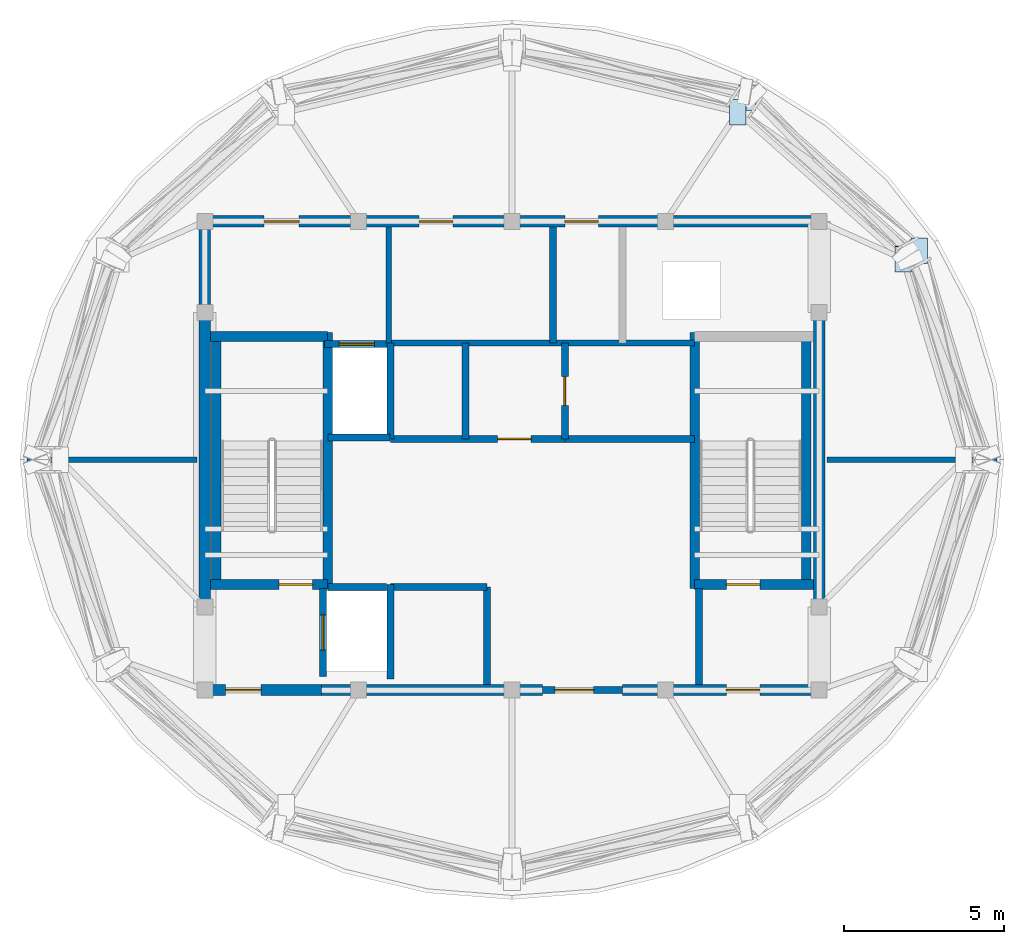
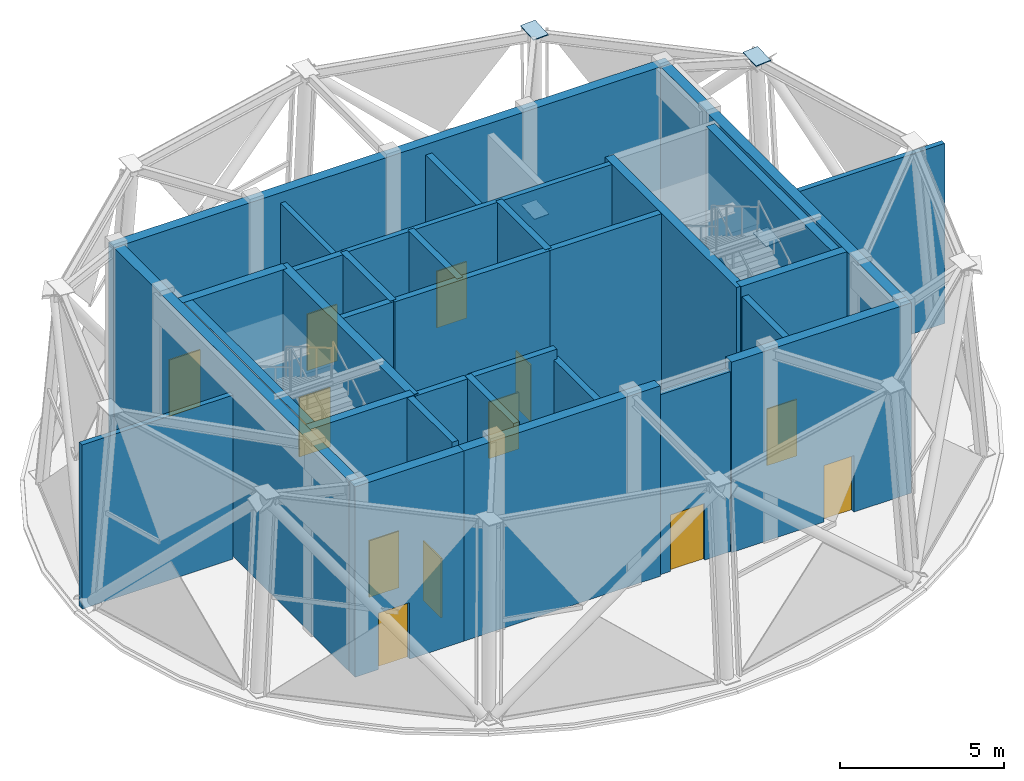
# One storey, part 5 of 8: 32 walls, 12 doors, 4 plates, 12 openings.
"""IFC4 building model written with IfcOpenShell, lengths in metres."""

from ifc_helpers import new_model, si_unit, direction, frame, frame_2d, origin, place, context, subcontext, project, spatial, polyline, rectangle, outline, extrude, material, layer, layer_set, type_object, element, fill, save


model = new_model("IFC4")

# Units and contexts
model_context = context("Model", 3, precision=1e-05, world=origin(), true_north=direction((0.0, 1.0)))
body_context = subcontext(model_context, "Body", "Model", "MODEL_VIEW")
ifc_project = project(units=[si_unit("LENGTHUNIT", "METRE"), si_unit("AREAUNIT", "SQUARE_METRE"), si_unit("VOLUMEUNIT", "CUBIC_METRE"), si_unit("PLANEANGLEUNIT", "RADIAN"), si_unit("MASSUNIT", "GRAM", prefix="KILO")], contexts=[model_context])

# Site, building, storey
site_placement = place(None, origin())
site = spatial("IfcSite", under=ifc_project, at=site_placement, CompositionType="ELEMENT")
building_placement = place(site_placement, origin())
building = spatial("IfcBuilding", under=site, at=building_placement, Name="Vantalir Tower", CompositionType="ELEMENT")
storey_placement = place(building_placement, frame((0.0, 0.0, 333.5)))
storey = spatial("IfcBuildingStorey", under=building, at=storey_placement, Name="L80", CompositionType="ELEMENT", Elevation=333.5)

# Plates
ifc_material_1 = material(Name="Steel S460", Category="steel")
ifc_layer_1 = layer(ifc_material_1, 0.031982421875)
ifc_layer_set_1 = layer_set([ifc_layer_1], Name="Steel S460")
plate_type = type_object("IfcPlateType", Name="PLT-KN-Z3", PredefinedType="USERDEFINED", material=ifc_layer_set_1)
plate_1_placement = place(storey_placement, frame((43.4619140625, 31.67041015625, 7.090087890625), z_axis=(-0.071626877496, -0.036984146802, 0.996745586048), x_axis=(1.049142e-05, -0.999312351022, -0.037078632443)))
element("IfcPlate", 1, at=plate_1_placement, inside=storey, type_object=plate_type, Name="L80 Ring Column Top Cap RC02", ObjectType="FLANGE_PLATE", PredefinedType="USERDEFINED", context=body_context, shape_type="SweptSolid", body=[
    extrude(outline(polyline([(0.0, 0.0), (0.7998620976008839, 0.0), (0.7999554121129334, 0.5201263818633813), (-0.00015971063039810587, 0.5201432111216763), (0.0, 0.0)])), origin(), (0.0, 0.0, -1.0), 0.031982421875),
])
plate_2_placement = place(storey_placement, frame((43.9677734375, 31.931396484375, 0.049072265625), z_axis=(-0.071626877496, -0.036984146802, 0.996745586048), x_axis=(-1.129986e-05, -0.99931229299, -0.037080196227)))
element("IfcPlate", 2, at=plate_2_placement, inside=storey, type_object=plate_type, Name="L80 Ring Column Base Cap RC02", ObjectType="FLANGE_PLATE", PredefinedType="USERDEFINED", context=body_context, shape_type="SweptSolid", body=[
    extrude(outline(polyline([(0.0, 0.0), (0.7998711501922752, 4.336808689942018e-19), (0.799944048515855, 0.5201438586805849), (-0.00016202162191883982, 0.5201257326056257), (0.0, 0.0)])), origin(), (0.0, 0.0, -1.0), 0.031982421875),
])
plate_3_placement = place(storey_placement, frame((38.296142578125, 36.26123046875, 7.108642578125), z_axis=(-0.041617393945, -0.063880802909, 0.997089381922), x_axis=(6.332074e-06, -0.997954005189, -0.063935932675)))
element("IfcPlate", 3, at=plate_3_placement, inside=storey, type_object=plate_type, Name="L80 Ring Column Top Cap RC03", ObjectType="FLANGE_PLATE", PredefinedType="USERDEFINED", context=body_context, shape_type="SweptSolid", body=[
    extrude(outline(polyline([(0.0, 0.0), (0.799968800512035, 0.0), (0.7998166722415209, 0.5199766824139979), (-0.00016773762907724694, 0.5199868222209975), (0.0, 0.0)])), origin(), (0.0, 0.0, -1.0), 0.031982421875),
])
plate_4_placement = place(storey_placement, frame((38.589111328125, 36.71240234375, 0.067626953125), z_axis=(-0.041383562744, -0.063729583274, 0.99710879093), x_axis=(0.0, -0.997963713083, -0.063784225087)))
element("IfcPlate", 4, at=plate_4_placement, inside=storey, type_object=plate_type, Name="L80 Ring Column Base Cap RC03", ObjectType="FLANGE_PLATE", PredefinedType="USERDEFINED", context=body_context, shape_type="SweptSolid", body=[
    extrude(outline(polyline([(0.0, 0.0), (0.7999688097714862, 0.0), (0.7998166629838307, 0.5199766966539727), (-0.00015214678765552796, 0.5199766966539727), (0.0, 0.0)])), origin(), (0.0, 0.0, -1.0), 0.031982421875),
])

# Wall, opening, door
ifc_material_2 = material(Name="Concrete C50/60", Category="concrete")
ifc_layer_2 = layer(ifc_material_2, 0.35009765625)
ifc_layer_set_2 = layer_set([ifc_layer_2], Name="Concrete C50/60")
wall_type_1 = type_object("IfcWallType", Name="WL-CORE-350", PredefinedType="SHEAR", material=ifc_layer_set_2)
wall_1_placement = place(storey_placement, frame((21.72509765625, 17.800048828125, 0.0), z_axis=(0.0, 0.0, 1.0), x_axis=(1.0, 0.0, 0.0)))
wall_1 = element("IfcWall", 5, at=wall_1_placement, inside=storey, type_object=wall_type_1, Name="L80 Core Shear Wall South-West", PredefinedType="SHEAR", context=body_context, shape_type="SweptSolid", body=[
    extrude(rectangle(XDim=3.824951171875, YDim=0.35009765625, at=frame_2d((1.91259765625, 0.0))), origin(), (0.0, 0.0, 1.0), 7.070068359375),
])
opening_1_placement = place(wall_1_placement, frame((0.824951171875, 0.0, 0.0)))
opening_1 = element("IfcOpeningElement", 6, at=opening_1_placement, cuts=wall_1, Name="Opening D-FFL", PredefinedType="OPENING", context=body_context, shape_type="SweptSolid", body=[
    extrude(rectangle(XDim=1.10009765625, YDim=2.10009765625, at=frame_2d((0.550048828125, 1.050048828125))), frame((0.0, 0.18505859375, 0.0), z_axis=(0.0, -1.0, 0.0), x_axis=(1.0, 0.0, 0.0)), (0.0, 0.0, 1.0), 0.3701171875),
])
ifc_material_3 = material(Name="Fire-rated acoustic steel door", Category="steel")
door_type_1 = type_object("IfcDoorType", Name="DR-FIRE-LOBBY-1100", OperationType="NOTDEFINED", PredefinedType="DOOR", material=ifc_material_3)
door_1_placement = place(opening_1_placement, origin())
door_1 = element("IfcDoor", 7, at=door_1_placement, inside=storey, type_object=door_type_1, Name="L80 Firefighting Lobby West Access Door", OperationType="SINGLE_SWING_LEFT", OverallHeight=2.10009765625, OverallWidth=1.10009765625, PredefinedType="DOOR", context=body_context, shape_type="SweptSolid", body=[
    extrude(rectangle(XDim=1.10009765625, YDim=2.10009765625, at=frame_2d((0.550048828125, 1.050048828125))), frame((0.0, 0.02490234375, 0.0), z_axis=(0.0, -1.0, 0.0), x_axis=(1.0, 0.0, 0.0)), (0.0, 0.0, 1.0), 0.050048828125),
])
fill(opening_1, door_1)

# Wall
wall_2_placement = place(storey_placement, frame((25.550048828125, 17.800048828125, 0.0), z_axis=(0.0, 0.0, 1.0), x_axis=(1.0, 0.0, 0.0)))
element("IfcWall", 8, at=wall_2_placement, inside=storey, type_object=wall_type_1, Name="L80 Core Shear Wall South-Mid", PredefinedType="SHEAR", context=body_context, shape_type="SweptSolid", body=[
    extrude(rectangle(XDim=6.89990234375, YDim=0.35009765625, at=frame_2d((3.449951171875, 0.0))), origin(), (0.0, 0.0, 1.0), 7.070068359375),
])

# Wall, opening, door
wall_3_placement = place(storey_placement, frame((34.949951171875, 17.800048828125, 0.0), z_axis=(0.0, 0.0, 1.0), x_axis=(1.0, 0.0, 0.0)))
wall_3 = element("IfcWall", 9, at=wall_3_placement, inside=storey, type_object=wall_type_1, Name="L80 Core Shear Wall South-East", PredefinedType="SHEAR", context=body_context, shape_type="SweptSolid", body=[
    extrude(rectangle(XDim=6.324951171875, YDim=0.35009765625, at=frame_2d((3.16259765625, 0.0))), origin(), (0.0, 0.0, 1.0), 7.070068359375),
])
opening_2_placement = place(wall_3_placement, frame((3.25, 0.0, 0.0)))
opening_2 = element("IfcOpeningElement", 10, at=opening_2_placement, cuts=wall_3, Name="Opening D-ST", PredefinedType="OPENING", context=body_context, shape_type="SweptSolid", body=[
    extrude(rectangle(XDim=1.050048828125, YDim=2.10009765625, at=frame_2d((0.52490234375, 1.050048828125))), frame((0.0, 0.18505859375, 0.0), z_axis=(0.0, -1.0, 0.0), x_axis=(1.0, 0.0, 0.0)), (0.0, 0.0, 1.0), 0.3701171875),
])
ifc_material_4 = material(Name="Fire-rated steel door leaf", Category="steel")
door_type_2 = type_object("IfcDoorType", Name="DR-FIRE-STAIR-1050", OperationType="NOTDEFINED", PredefinedType="DOOR", material=ifc_material_4)
door_2_placement = place(opening_2_placement, origin())
door_2 = element("IfcDoor", 11, at=door_2_placement, inside=storey, type_object=door_type_2, Name="L80 Stair ST2 Exit Lobby Door", OperationType="SINGLE_SWING_LEFT", OverallHeight=2.10009765625, OverallWidth=1.050048828125, PredefinedType="DOOR", context=body_context, shape_type="SweptSolid", body=[
    extrude(rectangle(XDim=1.050048828125, YDim=2.10009765625, at=frame_2d((0.52490234375, 1.050048828125))), frame((0.0, 0.02490234375, 0.0), z_axis=(0.0, -1.0, 0.0), x_axis=(1.0, 0.0, 0.0)), (0.0, 0.0, 1.0), 0.050048828125),
])
fill(opening_2, door_2)

# Wall, openings, doors
wall_4_placement = place(storey_placement, frame((21.72509765625, 32.449951171875, 0.0), z_axis=(0.0, 0.0, 1.0), x_axis=(1.0, 0.0, 0.0)))
wall_4 = element("IfcWall", 12, at=wall_4_placement, inside=storey, type_object=wall_type_1, Name="L80 Core Shear Wall North", PredefinedType="SHEAR", context=body_context, shape_type="SweptSolid", body=[
    extrude(rectangle(XDim=19.5498046875, YDim=0.35009765625, at=frame_2d((9.77490234375, 0.0))), origin(), (0.0, 0.0, 1.0), 7.070068359375),
])
opening_3_placement = place(wall_4_placement, frame((2.02490234375, 0.0, 0.0)))
opening_3 = element("IfcOpeningElement", 13, at=opening_3_placement, cuts=wall_4, Name="Opening D-FFL", PredefinedType="OPENING", context=body_context, shape_type="SweptSolid", body=[
    extrude(rectangle(XDim=1.10009765625, YDim=2.10009765625, at=frame_2d((0.550048828125, 1.050048828125))), frame((0.0, 0.18505859375, 0.0), z_axis=(0.0, -1.0, 0.0), x_axis=(1.0, 0.0, 0.0)), (0.0, 0.0, 1.0), 0.3701171875),
])
opening_4_placement = place(wall_4_placement, frame((11.425048828125, 0.0, 0.0)))
opening_4 = element("IfcOpeningElement", 14, at=opening_4_placement, cuts=wall_4, Name="Opening D-ST", PredefinedType="OPENING", context=body_context, shape_type="SweptSolid", body=[
    extrude(rectangle(XDim=1.050048828125, YDim=2.10009765625, at=frame_2d((0.52490234375, 1.050048828125))), frame((0.0, 0.18505859375, 0.0), z_axis=(0.0, -1.0, 0.0), x_axis=(1.0, 0.0, 0.0)), (0.0, 0.0, 1.0), 0.3701171875),
])
opening_5_placement = place(wall_4_placement, frame((6.875, 0.0, 0.0)))
opening_5 = element("IfcOpeningElement", 15, at=opening_5_placement, cuts=wall_4, Name="Opening D-ST", PredefinedType="OPENING", context=body_context, shape_type="SweptSolid", body=[
    extrude(rectangle(XDim=1.050048828125, YDim=2.10009765625, at=frame_2d((0.52490234375, 1.050048828125))), frame((0.0, 0.18505859375, 0.0), z_axis=(0.0, -1.0, 0.0), x_axis=(1.0, 0.0, 0.0)), (0.0, 0.0, 1.0), 0.3701171875),
])
door_3_placement = place(opening_3_placement, frame((1.10009765625, 0.0, 0.0), z_axis=(0.0, 0.0, 1.0), x_axis=(-1.0, 0.0, 0.0)))
door_3 = element("IfcDoor", 16, at=door_3_placement, inside=storey, type_object=door_type_1, Name="L80 Firefighting Lobby East Access Door", OperationType="SINGLE_SWING_RIGHT", OverallHeight=2.10009765625, OverallWidth=1.10009765625, PredefinedType="DOOR", context=body_context, shape_type="SweptSolid", body=[
    extrude(rectangle(XDim=1.10009765625, YDim=2.10009765625, at=frame_2d((0.550048828125, 1.050048828125))), frame((0.0, 0.02490234375, 0.0), z_axis=(0.0, -1.0, 0.0), x_axis=(1.0, 0.0, 0.0)), (0.0, 0.0, 1.0), 0.050048828125),
])
fill(opening_3, door_3)
door_4_placement = place(opening_4_placement, frame((1.050048828125, 0.0, 0.0), z_axis=(0.0, 0.0, 1.0), x_axis=(-1.0, 0.0, 0.0)))
door_4 = element("IfcDoor", 17, at=door_4_placement, inside=storey, type_object=door_type_2, Name="L80 North Crown Passage Link Door", OperationType="SINGLE_SWING_RIGHT", OverallHeight=2.10009765625, OverallWidth=1.050048828125, PredefinedType="DOOR", context=body_context, shape_type="SweptSolid", body=[
    extrude(rectangle(XDim=1.050048828125, YDim=2.10009765625, at=frame_2d((0.52490234375, 1.050048828125))), frame((0.0, 0.02490234375, 0.0), z_axis=(0.0, -1.0, 0.0), x_axis=(1.0, 0.0, 0.0)), (0.0, 0.0, 1.0), 0.050048828125),
])
fill(opening_4, door_4)
door_5_placement = place(opening_5_placement, frame((1.050048828125, 0.0, 0.0), z_axis=(0.0, 0.0, 1.0), x_axis=(-1.0, 0.0, 0.0)))
door_5 = element("IfcDoor", 18, at=door_5_placement, inside=storey, type_object=door_type_2, Name="L80 Crown Telemetry Plant Door", OperationType="SINGLE_SWING_LEFT", OverallHeight=2.10009765625, OverallWidth=1.050048828125, PredefinedType="DOOR", context=body_context, shape_type="SweptSolid", body=[
    extrude(rectangle(XDim=1.050048828125, YDim=2.10009765625, at=frame_2d((0.52490234375, 1.050048828125))), frame((0.0, 0.02490234375, 0.0), z_axis=(0.0, -1.0, 0.0), x_axis=(1.0, 0.0, 0.0)), (0.0, 0.0, 1.0), 0.050048828125),
])
fill(opening_5, door_5)

# Walls
for number, where, z_axis, x_axis, name in (
    (19, (21.89990234375, 17.97509765625, 0.0), (0.0, 0.0, 1.0), (0.0, 1.0, 0.0), "L80 Core Shear Wall West"),
    (20, (41.10009765625, 17.97509765625, 0.0), (0.0, 0.0, 1.0), (0.0, 1.0, 0.0), "L80 Core Shear Wall East"),
):
    element("IfcWall", number, at=place(storey_placement, frame(where, z_axis=z_axis, x_axis=x_axis)), inside=storey, type_object=wall_type_1, Name=name, PredefinedType="SHEAR", context=body_context, shape_type="SweptSolid", body=[
        extrude(rectangle(XDim=14.2998046875, YDim=0.35009765625, at=frame_2d((7.14990234375, 0.0))), origin(), (0.0, 0.0, 1.0), 7.070068359375),
    ])
ifc_material_5 = material(Name="Concrete blockwork with fireboard lining", Category="masonry")
ifc_layer_3 = layer(ifc_material_5, 0.219970703125)
ifc_layer_set_3 = layer_set([ifc_layer_3], Name="Concrete blockwork with fireboard lining")
wall_type_2 = type_object("IfcWallType", Name="WL-FFL-220", PredefinedType="PARTITIONING", material=ifc_layer_set_3)
wall_5_placement = place(storey_placement, frame((25.75, 21.02001953125, 0.0), z_axis=(0.0, 0.0, 1.0), x_axis=(1.0, 0.0, 0.0)))
element("IfcWall", 21, at=wall_5_placement, inside=storey, type_object=wall_type_2, Name="L80 Fire Lift FL1 Crown North Shaft Wall", PredefinedType="PARTITIONING", context=body_context, shape_type="SweptSolid", body=[
    extrude(rectangle(XDim=1.830078125, YDim=0.219970703125, at=frame_2d((0.9150390625, 0.0))), origin(), (0.0, 0.0, 1.0), 7.044921875),
])
wall_6_placement = place(storey_placement, frame((25.75, 25.68994140625, 0.0), z_axis=(0.0, 0.0, 1.0), x_axis=(1.0, 0.0, 0.0)))
element("IfcWall", 22, at=wall_6_placement, inside=storey, type_object=wall_type_2, Name="L80 Fire Lift FL2 Crown South Shaft Wall", PredefinedType="PARTITIONING", context=body_context, shape_type="SweptSolid", body=[
    extrude(rectangle(XDim=1.929931640625, YDim=0.219970703125, at=frame_2d((0.96484375, 0.0))), origin(), (0.0, 0.0, 1.0), 7.044921875),
])

# Wall, opening, door
wall_7_placement = place(storey_placement, frame((32.449951171875, 17.800048828125, 0.0), z_axis=(0.0, 0.0, 1.0), x_axis=(1.0, 0.0, 0.0)))
wall_7 = element("IfcWall", 23, at=wall_7_placement, inside=storey, type_object=wall_type_2, Name="L80 Passenger Lift Lobby South Wall", PredefinedType="PARTITIONING", context=body_context, shape_type="SweptSolid", body=[
    extrude(rectangle(XDim=2.5, YDim=0.219970703125, at=frame_2d((1.25, 0.0))), origin(), (0.0, 0.0, 1.0), 6.68701171875),
])
opening_6_placement = place(wall_7_placement, frame((0.39990234375, 0.0, 0.0)))
opening_6 = element("IfcOpeningElement", 24, at=opening_6_placement, cuts=wall_7, Name="Opening D-STE", PredefinedType="OPENING", context=body_context, shape_type="SweptSolid", body=[
    extrude(rectangle(XDim=1.199951171875, YDim=2.10009765625, at=frame_2d((0.60009765625, 1.050048828125))), frame((0.0, 0.119873046875, 0.0), z_axis=(0.0, -1.0, 0.0), x_axis=(1.0, 0.0, 0.0)), (0.0, 0.0, 1.0), 0.239990234375),
])
ifc_material_6 = material(Name="Solid-core teak veneer suite entrance door", Category="wood")
door_type_3 = type_object("IfcDoorType", Name="DR-SUITE-ENTRY-1200", OperationType="NOTDEFINED", PredefinedType="DOOR", material=ifc_material_6)
door_6_placement = place(opening_6_placement, origin())
door_6 = element("IfcDoor", 25, at=door_6_placement, inside=storey, type_object=door_type_3, Name="L80 Passenger Lift Lobby Concourse Door", OperationType="SINGLE_SWING_LEFT", OverallHeight=2.10009765625, OverallWidth=1.199951171875, PredefinedType="DOOR", context=body_context, shape_type="SweptSolid", body=[
    extrude(rectangle(XDim=1.199951171875, YDim=2.10009765625, at=frame_2d((0.60009765625, 1.050048828125))), frame((0.0, 0.02490234375, 0.0), z_axis=(0.0, -1.0, 0.0), x_axis=(1.0, 0.0, 0.0)), (0.0, 0.0, 1.0), 0.050048828125),
])
fill(opening_6, door_6)

# Wall
wall_8_placement = place(storey_placement, frame((37.35009765625, 17.97509765625, 0.0), z_axis=(0.0, 0.0, 1.0), x_axis=(0.0, 1.0, 0.0)))
element("IfcWall", 26, at=wall_8_placement, inside=storey, type_object=wall_type_2, Name="L80 ST2 Exit Lobby West Wall", PredefinedType="PARTITIONING", context=body_context, shape_type="SweptSolid", body=[
    extrude(rectangle(XDim=3.0048828125, YDim=0.219970703125, at=frame_2d((1.50244140625, 0.0))), origin(), (0.0, 0.0, 1.0), 6.68701171875),
])

# Wall, opening, door
wall_9_placement = place(storey_placement, frame((25.590087890625, 18.219970703125, 0.0), z_axis=(0.0, 0.0, 1.0), x_axis=(0.0, 1.0, 0.0)))
wall_9 = element("IfcWall", 27, at=wall_9_placement, inside=storey, type_object=wall_type_2, Name="L80 Lift FL1 Shaft Front Wall", PredefinedType="PARTITIONING", context=body_context, shape_type="SweptSolid", body=[
    extrude(rectangle(XDim=2.760009765625, YDim=0.219970703125, at=frame_2d((1.3798828125, 0.0))), origin(), (0.0, 0.0, 1.0), 7.050048828125),
])
opening_7_placement = place(wall_9_placement, frame((0.830078125, 0.0, 0.0)))
opening_7 = element("IfcOpeningElement", 28, at=opening_7_placement, cuts=wall_9, Name="Opening LD-FL1", PredefinedType="OPENING", context=body_context, shape_type="SweptSolid", body=[
    extrude(rectangle(XDim=1.10009765625, YDim=2.199951171875, at=frame_2d((0.550048828125, 1.10009765625))), frame((0.0, 0.119873046875, 0.0), z_axis=(0.0, -1.0, 0.0), x_axis=(1.0, 0.0, 0.0)), (0.0, 0.0, 1.0), 0.239990234375),
])
ifc_material_7 = material(Name="Brushed stainless-steel sliding lift landing door", Category="steel")
door_type_4 = type_object("IfcDoorType", Name="DR-LIFT-LANDING-1100", OperationType="DOUBLE_DOOR_SLIDING", PredefinedType="DOOR", material=ifc_material_7)
door_7_placement = place(opening_7_placement, origin())
door_7 = element("IfcDoor", 29, at=door_7_placement, inside=storey, type_object=door_type_4, Name="L80 Lift Landing Door FL1", OperationType="DOUBLE_DOOR_SLIDING", OverallHeight=2.199951171875, OverallWidth=1.10009765625, PredefinedType="DOOR", context=body_context, shape_type="SweptSolid", body=[
    extrude(rectangle(XDim=1.10009765625, YDim=2.199951171875, at=frame_2d((0.550048828125, 1.10009765625))), frame((0.0, 0.02490234375, 0.0), z_axis=(0.0, -1.0, 0.0), x_axis=(1.0, 0.0, 0.0)), (0.0, 0.0, 1.0), 0.050048828125),
])
fill(opening_7, door_7)

wall_10_placement = place(storey_placement, frame((25.639892578125, 28.610107421875, 0.0), z_axis=(0.0, 0.0, 1.0), x_axis=(1.0, 0.0, 0.0)))
wall_10 = element("IfcWall", 30, at=wall_10_placement, inside=storey, type_object=wall_type_2, Name="L80 Lift FL2 Shaft Front Wall", PredefinedType="PARTITIONING", context=body_context, shape_type="SweptSolid", body=[
    extrude(rectangle(XDim=2.02001953125, YDim=0.219970703125, at=frame_2d((1.010009765625, 0.0))), origin(), (0.0, 0.0, 1.0), 7.050048828125),
])
opening_8_placement = place(wall_10_placement, frame((0.4599609375, 0.0, 0.0)))
opening_8 = element("IfcOpeningElement", 31, at=opening_8_placement, cuts=wall_10, Name="Opening LD-FL2", PredefinedType="OPENING", context=body_context, shape_type="SweptSolid", body=[
    extrude(rectangle(XDim=1.10009765625, YDim=2.199951171875, at=frame_2d((0.550048828125, 1.10009765625))), frame((0.0, 0.119873046875, 0.0), z_axis=(0.0, -1.0, 0.0), x_axis=(1.0, 0.0, 0.0)), (0.0, 0.0, 1.0), 0.239990234375),
])
door_8_placement = place(opening_8_placement, origin())
door_8 = element("IfcDoor", 32, at=door_8_placement, inside=storey, type_object=door_type_4, Name="L80 Lift Landing Door FL2", OperationType="DOUBLE_DOOR_SLIDING", OverallHeight=2.199951171875, OverallWidth=1.10009765625, PredefinedType="DOOR", context=body_context, shape_type="SweptSolid", body=[
    extrude(rectangle(XDim=1.10009765625, YDim=2.199951171875, at=frame_2d((0.550048828125, 1.10009765625))), frame((0.0, 0.02490234375, 0.0), z_axis=(0.0, -1.0, 0.0), x_axis=(1.0, 0.0, 0.0)), (0.0, 0.0, 1.0), 0.050048828125),
])
fill(opening_8, door_8)

# Walls
wall_11_placement = place(storey_placement, frame((27.699951171875, 18.14990234375, 0.0), z_axis=(0.0, 0.0, 1.0), x_axis=(0.0, 1.0, 0.0)))
element("IfcWall", 33, at=wall_11_placement, inside=storey, type_object=wall_type_2, Name="L80 Fire Lift FL1 Dividing Wall", PredefinedType="PARTITIONING", context=body_context, shape_type="SweptSolid", body=[
    extrude(rectangle(XDim=2.9501953125, YDim=0.219970703125, at=frame_2d((1.47509765625, 0.0))), origin(), (0.0, 0.0, 1.0), 7.050048828125),
])
wall_12_placement = place(storey_placement, frame((27.699951171875, 25.64990234375, 0.0), z_axis=(0.0, 0.0, 1.0), x_axis=(0.0, 1.0, 0.0)))
element("IfcWall", 34, at=wall_12_placement, inside=storey, type_object=wall_type_2, Name="L80 Fire Lift FL2 Dividing Wall", PredefinedType="PARTITIONING", context=body_context, shape_type="SweptSolid", body=[
    extrude(rectangle(XDim=3.0, YDim=0.219970703125, at=frame_2d((1.5, 0.0))), origin(), (0.0, 0.0, 1.0), 7.050048828125),
])
wall_13_placement = place(storey_placement, frame((27.699951171875, 21.02001953125, 0.0), z_axis=(0.0, 0.0, 1.0), x_axis=(1.0, 0.0, 0.0)))
element("IfcWall", 35, at=wall_13_placement, inside=storey, type_object=wall_type_2, Name="L80 Firefighting Lobby West East-Wing North Wall", PredefinedType="PARTITIONING", context=body_context, shape_type="SweptSolid", body=[
    extrude(rectangle(XDim=3.02001953125, YDim=0.219970703125, at=frame_2d((1.510009765625, 0.0))), origin(), (0.0, 0.0, 1.0), 7.050048828125),
])
wall_14_placement = place(storey_placement, frame((30.719970703125, 17.97509765625, 0.0), z_axis=(0.0, 0.0, 1.0), x_axis=(0.0, 1.0, 0.0)))
element("IfcWall", 36, at=wall_14_placement, inside=storey, type_object=wall_type_2, Name="L80 Firefighting Lobby West East Wall", PredefinedType="PARTITIONING", context=body_context, shape_type="SweptSolid", body=[
    extrude(rectangle(XDim=3.044921875, YDim=0.219970703125, at=frame_2d((1.5224609375, 0.0))), origin(), (0.0, 0.0, 1.0), 6.68701171875),
])
wall_15_placement = place(storey_placement, frame((32.780029296875, 28.64990234375, 0.0), z_axis=(0.0, 0.0, 1.0), x_axis=(0.0, 1.0, 0.0)))
element("IfcWall", 37, at=wall_15_placement, inside=storey, type_object=wall_type_2, Name="L80 Core Plant Link West Wall", PredefinedType="PARTITIONING", context=body_context, shape_type="SweptSolid", body=[
    extrude(rectangle(XDim=3.625, YDim=0.219970703125, at=frame_2d((1.8125, 0.0))), origin(), (0.0, 0.0, 1.0), 6.68701171875),
])
wall_16_placement = place(storey_placement, frame((30.050048828125, 25.64990234375, 0.0), z_axis=(0.0, 0.0, 1.0), x_axis=(0.0, 1.0, 0.0)))
element("IfcWall", 38, at=wall_16_placement, inside=storey, type_object=wall_type_2, Name="L80 Core Plant Lower West Wall", PredefinedType="PARTITIONING", context=body_context, shape_type="SweptSolid", body=[
    extrude(rectangle(XDim=3.0, YDim=0.219970703125, at=frame_2d((1.5, 0.0))), origin(), (0.0, 0.0, 1.0), 7.050048828125),
])

# Wall, opening, door
wall_17_placement = place(storey_placement, frame((27.699951171875, 25.64990234375, 0.0), z_axis=(0.0, 0.0, 1.0), x_axis=(1.0, 0.0, 0.0)))
wall_17 = element("IfcWall", 39, at=wall_17_placement, inside=storey, type_object=wall_type_2, Name="L80 Core Plant South Lobby Wall", PredefinedType="PARTITIONING", context=body_context, shape_type="SweptSolid", body=[
    extrude(rectangle(XDim=5.449951171875, YDim=0.219970703125, at=frame_2d((2.72509765625, 0.0))), origin(), (0.0, 0.0, 1.0), 7.050048828125),
])
opening_9_placement = place(wall_17_placement, frame((3.35009765625, 0.0, 0.0)))
opening_9 = element("IfcOpeningElement", 40, at=opening_9_placement, cuts=wall_17, Name="Opening D-ST", PredefinedType="OPENING", context=body_context, shape_type="SweptSolid", body=[
    extrude(rectangle(XDim=1.050048828125, YDim=2.10009765625, at=frame_2d((0.52490234375, 1.050048828125))), frame((0.0, 0.119873046875, 0.0), z_axis=(0.0, -1.0, 0.0), x_axis=(1.0, 0.0, 0.0)), (0.0, 0.0, 1.0), 0.239990234375),
])
door_9_placement = place(opening_9_placement, frame((1.050048828125, 0.0, 0.0), z_axis=(0.0, 0.0, 1.0), x_axis=(-1.0, 0.0, 0.0)))
door_9 = element("IfcDoor", 41, at=door_9_placement, inside=storey, type_object=door_type_2, Name="L80 Core Plant Passage Lobby Door", OperationType="SINGLE_SWING_LEFT", OverallHeight=2.10009765625, OverallWidth=1.050048828125, PredefinedType="DOOR", context=body_context, shape_type="SweptSolid", body=[
    extrude(rectangle(XDim=1.050048828125, YDim=2.10009765625, at=frame_2d((0.52490234375, 1.050048828125))), frame((0.0, 0.02490234375, 0.0), z_axis=(0.0, -1.0, 0.0), x_axis=(1.0, 0.0, 0.0)), (0.0, 0.0, 1.0), 0.050048828125),
])
fill(opening_9, door_9)

wall_18_placement = place(storey_placement, frame((33.14990234375, 25.64990234375, 0.0), z_axis=(0.0, 0.0, 1.0), x_axis=(0.0, 1.0, 0.0)))
wall_18 = element("IfcWall", 42, at=wall_18_placement, inside=storey, type_object=wall_type_2, Name="L80 Crown Emergency Switchroom West Wall", PredefinedType="PARTITIONING", context=body_context, shape_type="SweptSolid", body=[
    extrude(rectangle(XDim=3.0, YDim=0.219970703125, at=frame_2d((1.5, 0.0))), origin(), (0.0, 0.0, 1.0), 7.050048828125),
])
opening_10_placement = place(wall_18_placement, frame((1.050048828125, 0.0, 0.0)))
opening_10 = element("IfcOpeningElement", 43, at=opening_10_placement, cuts=wall_18, Name="Opening D-CR", PredefinedType="OPENING", context=body_context, shape_type="SweptSolid", body=[
    extrude(rectangle(XDim=0.89990234375, YDim=2.10009765625, at=frame_2d((0.449951171875, 1.050048828125))), frame((0.0, 0.119873046875, 0.0), z_axis=(0.0, -1.0, 0.0), x_axis=(1.0, 0.0, 0.0)), (0.0, 0.0, 1.0), 0.239990234375),
])
ifc_material_8 = material(Name="Fire-rated steel core service door", Category="steel")
door_type_5 = type_object("IfcDoorType", Name="DR-CORE-SERV-900", OperationType="NOTDEFINED", PredefinedType="DOOR", material=ifc_material_8)
door_10_placement = place(opening_10_placement, frame((0.89990234375, 0.0, 0.0), z_axis=(0.0, 0.0, 1.0), x_axis=(-1.0, 0.0, 0.0)))
door_10 = element("IfcDoor", 44, at=door_10_placement, inside=storey, type_object=door_type_5, Name="L80 Crown Emergency Switchroom Door", OperationType="SINGLE_SWING_RIGHT", OverallHeight=2.10009765625, OverallWidth=0.89990234375, PredefinedType="DOOR", context=body_context, shape_type="SweptSolid", body=[
    extrude(rectangle(XDim=0.89990234375, YDim=2.10009765625, at=frame_2d((0.449951171875, 1.050048828125))), frame((0.0, 0.02490234375, 0.0), z_axis=(0.0, -1.0, 0.0), x_axis=(1.0, 0.0, 0.0)), (0.0, 0.0, 1.0), 0.050048828125),
])
fill(opening_10, door_10)

# Walls
wall_19_placement = place(storey_placement, frame((33.14990234375, 25.64990234375, 0.0), z_axis=(0.0, 0.0, 1.0), x_axis=(1.0, 0.0, 0.0)))
element("IfcWall", 45, at=wall_19_placement, inside=storey, type_object=wall_type_2, Name="L80 Crown Emergency Switchroom South Wall", PredefinedType="PARTITIONING", context=body_context, shape_type="SweptSolid", body=[
    extrude(rectangle(XDim=4.06005859375, YDim=0.219970703125, at=frame_2d((2.030029296875, 0.0))), origin(), (0.0, 0.0, 1.0), 7.050048828125),
])
ifc_material_9 = material(Name="Twin-stud acoustic fire-rated gypsum partition", Category="gypsum")
ifc_layer_4 = layer(ifc_material_9, 0.179931640625)
ifc_layer_set_4 = layer_set([ifc_layer_4], Name="Twin-stud acoustic fire-rated gypsum partition")
wall_type_3 = type_object("IfcWallType", Name="WL-GUEST-180", PredefinedType="PARTITIONING", material=ifc_layer_set_4)
wall_20_placement = place(storey_placement, frame((27.64990234375, 28.64990234375, 0.0), z_axis=(0.0, 0.0, 1.0), x_axis=(1.0, 0.0, 0.0)))
element("IfcWall", 46, at=wall_20_placement, inside=storey, type_object=wall_type_3, Name="L80 Crown Core North Plant South Wall", PredefinedType="PARTITIONING", context=body_context, shape_type="SweptSolid", body=[
    extrude(rectangle(XDim=9.56005859375, YDim=0.179931640625, at=frame_2d((4.780029296875, 0.0))), origin(), (0.0, 0.0, 1.0), 7.050048828125),
])
wall_21_placement = place(storey_placement, frame((27.64990234375, 28.64990234375, 0.0), z_axis=(0.0, 0.0, 1.0), x_axis=(0.0, 1.0, 0.0)))
element("IfcWall", 47, at=wall_21_placement, inside=storey, type_object=wall_type_3, Name="L80 Crown Core North Plant West Wall", PredefinedType="PARTITIONING", context=body_context, shape_type="SweptSolid", body=[
    extrude(rectangle(XDim=3.625, YDim=0.179931640625, at=frame_2d((1.8125, 0.0))), origin(), (0.0, 0.0, 1.0), 6.68701171875),
])
wall_22_placement = place(storey_placement, frame((41.35009765625, 25.0, 0.0), z_axis=(0.0, 0.0, 1.0), x_axis=(1.0, 0.0, 0.0)))
element("IfcWall", 48, at=wall_22_placement, inside=storey, type_object=wall_type_3, Name="L80 Radial Suite Partition 01", PredefinedType="PARTITIONING", context=body_context, shape_type="SweptSolid", body=[
    extrude(rectangle(XDim=5.2998046875, YDim=0.179931640625, at=frame_2d((2.64990234375, 0.0))), origin(), (0.0, 0.0, 1.0), 6.68701171875),
])
wall_23_placement = place(storey_placement, frame((21.64990234375, 25.0, 0.0), z_axis=(0.0, 0.0, 1.0), x_axis=(-1.0, 0.0, 0.0)))
element("IfcWall", 49, at=wall_23_placement, inside=storey, type_object=wall_type_3, Name="L80 Radial Suite Partition 02", PredefinedType="PARTITIONING", context=body_context, shape_type="SweptSolid", body=[
    extrude(rectangle(XDim=5.2998046875, YDim=0.179931640625, at=frame_2d((2.64990234375, 0.0))), origin(), (0.0, 0.0, 1.0), 6.094970703125),
])

# Wall, opening, door
ifc_layer_5 = layer(ifc_material_2, 0.300048828125)
ifc_layer_set_5 = layer_set([ifc_layer_5], Name="Concrete C50/60")
wall_type_4 = type_object("IfcWallType", Name="WL-STAIR-300", PredefinedType="SHEAR", material=ifc_layer_set_5)
wall_24_placement = place(storey_placement, frame((22.074951171875, 21.10009765625, 0.0), z_axis=(0.0, 0.0, 1.0), x_axis=(1.0, 0.0, 0.0)))
wall_24 = element("IfcWall", 50, at=wall_24_placement, inside=storey, type_object=wall_type_4, Name="L80 Stair ST1 South Wall", PredefinedType="SHEAR", context=body_context, shape_type="SweptSolid", body=[
    extrude(rectangle(XDim=3.6650390625, YDim=0.300048828125, at=frame_2d((1.83251953125, 0.0))), origin(), (0.0, 0.0, 1.0), 7.070068359375),
])
opening_11_placement = place(wall_24_placement, frame((2.14501953125, 0.0, 0.0)))
opening_11 = element("IfcOpeningElement", 51, at=opening_11_placement, cuts=wall_24, Name="Opening D-ST", PredefinedType="OPENING", context=body_context, shape_type="SweptSolid", body=[
    extrude(rectangle(XDim=1.050048828125, YDim=2.10009765625, at=frame_2d((0.52490234375, 1.050048828125))), frame((0.0, 0.159912109375, 0.0), z_axis=(0.0, -1.0, 0.0), x_axis=(1.0, 0.0, 0.0)), (0.0, 0.0, 1.0), 0.320068359375),
])
door_11_placement = place(opening_11_placement, origin())
door_11 = element("IfcDoor", 52, at=door_11_placement, inside=storey, type_object=door_type_2, Name="L80 Exit Stair ST1 Fire Door", OperationType="SINGLE_SWING_LEFT", OverallHeight=2.10009765625, OverallWidth=1.050048828125, PredefinedType="DOOR", context=body_context, shape_type="SweptSolid", body=[
    extrude(rectangle(XDim=1.050048828125, YDim=2.10009765625, at=frame_2d((0.52490234375, 1.050048828125))), frame((0.0, 0.02490234375, 0.0), z_axis=(0.0, -1.0, 0.0), x_axis=(1.0, 0.0, 0.0)), (0.0, 0.0, 1.0), 0.050048828125),
])
fill(opening_11, door_11)

# Walls
wall_25_placement = place(storey_placement, frame((22.074951171875, 28.85009765625, 0.0), z_axis=(0.0, 0.0, 1.0), x_axis=(1.0, 0.0, 0.0)))
element("IfcWall", 53, at=wall_25_placement, inside=storey, type_object=wall_type_4, Name="L80 Stair ST1 North Wall", PredefinedType="SHEAR", context=body_context, shape_type="SweptSolid", body=[
    extrude(rectangle(XDim=3.6650390625, YDim=0.300048828125, at=frame_2d((1.83251953125, 0.0))), origin(), (0.0, 0.0, 1.0), 7.070068359375),
])
wall_26_placement = place(storey_placement, frame((25.739990234375, 20.97998046875, 0.0), z_axis=(0.0, 0.0, 1.0), x_axis=(0.0, 1.0, 0.0)))
element("IfcWall", 54, at=wall_26_placement, inside=storey, type_object=wall_type_4, Name="L80 Stair ST1 East Wall", PredefinedType="SHEAR", context=body_context, shape_type="SweptSolid", body=[
    extrude(rectangle(XDim=7.989990234375, YDim=0.300048828125, at=frame_2d((3.9951171875, 0.0))), origin(), (0.0, 0.0, 1.0), 7.070068359375),
])
wall_27_placement = place(storey_placement, frame((22.260009765625, 21.10009765625, 0.0), z_axis=(0.0, 0.0, 1.0), x_axis=(0.0, 1.0, 0.0)))
element("IfcWall", 55, at=wall_27_placement, inside=storey, type_object=wall_type_4, Name="L80 Stair ST1 West Liner Wall", PredefinedType="SHEAR", context=body_context, shape_type="SweptSolid", body=[
    extrude(rectangle(XDim=7.75, YDim=0.300048828125, at=frame_2d((3.875, 0.0))), origin(), (0.0, 0.0, 1.0), 7.070068359375),
])

# Wall, opening, door
wall_28_placement = place(storey_placement, frame((37.2099609375, 21.10009765625, 0.0), z_axis=(0.0, 0.0, 1.0), x_axis=(1.0, 0.0, 0.0)))
wall_28 = element("IfcWall", 56, at=wall_28_placement, inside=storey, type_object=wall_type_4, Name="L80 Stair ST2 South Wall", PredefinedType="SHEAR", context=body_context, shape_type="SweptSolid", body=[
    extrude(rectangle(XDim=3.715087890625, YDim=0.300048828125, at=frame_2d((1.857421875, 0.0))), origin(), (0.0, 0.0, 1.0), 7.070068359375),
])
opening_12_placement = place(wall_28_placement, frame((0.989990234375, 0.0, 0.0)))
opening_12 = element("IfcOpeningElement", 57, at=opening_12_placement, cuts=wall_28, Name="Opening D-ST", PredefinedType="OPENING", context=body_context, shape_type="SweptSolid", body=[
    extrude(rectangle(XDim=1.050048828125, YDim=2.10009765625, at=frame_2d((0.52490234375, 1.050048828125))), frame((0.0, 0.159912109375, 0.0), z_axis=(0.0, -1.0, 0.0), x_axis=(1.0, 0.0, 0.0)), (0.0, 0.0, 1.0), 0.320068359375),
])
door_12_placement = place(opening_12_placement, origin())
door_12 = element("IfcDoor", 58, at=door_12_placement, inside=storey, type_object=door_type_2, Name="L80 Exit Stair ST2 Fire Door", OperationType="SINGLE_SWING_LEFT", OverallHeight=2.10009765625, OverallWidth=1.050048828125, PredefinedType="DOOR", context=body_context, shape_type="SweptSolid", body=[
    extrude(rectangle(XDim=1.050048828125, YDim=2.10009765625, at=frame_2d((0.52490234375, 1.050048828125))), frame((0.0, 0.02490234375, 0.0), z_axis=(0.0, -1.0, 0.0), x_axis=(1.0, 0.0, 0.0)), (0.0, 0.0, 1.0), 0.050048828125),
])
fill(opening_12, door_12)

# Walls
wall_29_placement = place(storey_placement, frame((37.2099609375, 20.97998046875, 0.0), z_axis=(0.0, 0.0, 1.0), x_axis=(0.0, 1.0, 0.0)))
element("IfcWall", 59, at=wall_29_placement, inside=storey, type_object=wall_type_4, Name="L80 Stair ST2 West Wall", PredefinedType="SHEAR", context=body_context, shape_type="SweptSolid", body=[
    extrude(rectangle(XDim=7.989990234375, YDim=0.300048828125, at=frame_2d((3.9951171875, 0.0))), origin(), (0.0, 0.0, 1.0), 7.070068359375),
])
wall_30_placement = place(storey_placement, frame((40.68994140625, 21.10009765625, 0.0), z_axis=(0.0, 0.0, 1.0), x_axis=(0.0, 1.0, 0.0)))
element("IfcWall", 60, at=wall_30_placement, inside=storey, type_object=wall_type_4, Name="L80 Stair ST2 East Liner Wall", PredefinedType="SHEAR", context=body_context, shape_type="SweptSolid", body=[
    extrude(rectangle(XDim=7.75, YDim=0.300048828125, at=frame_2d((3.875, 0.0))), origin(), (0.0, 0.0, 1.0), 7.070068359375),
])

save(model, "model.ifc")
